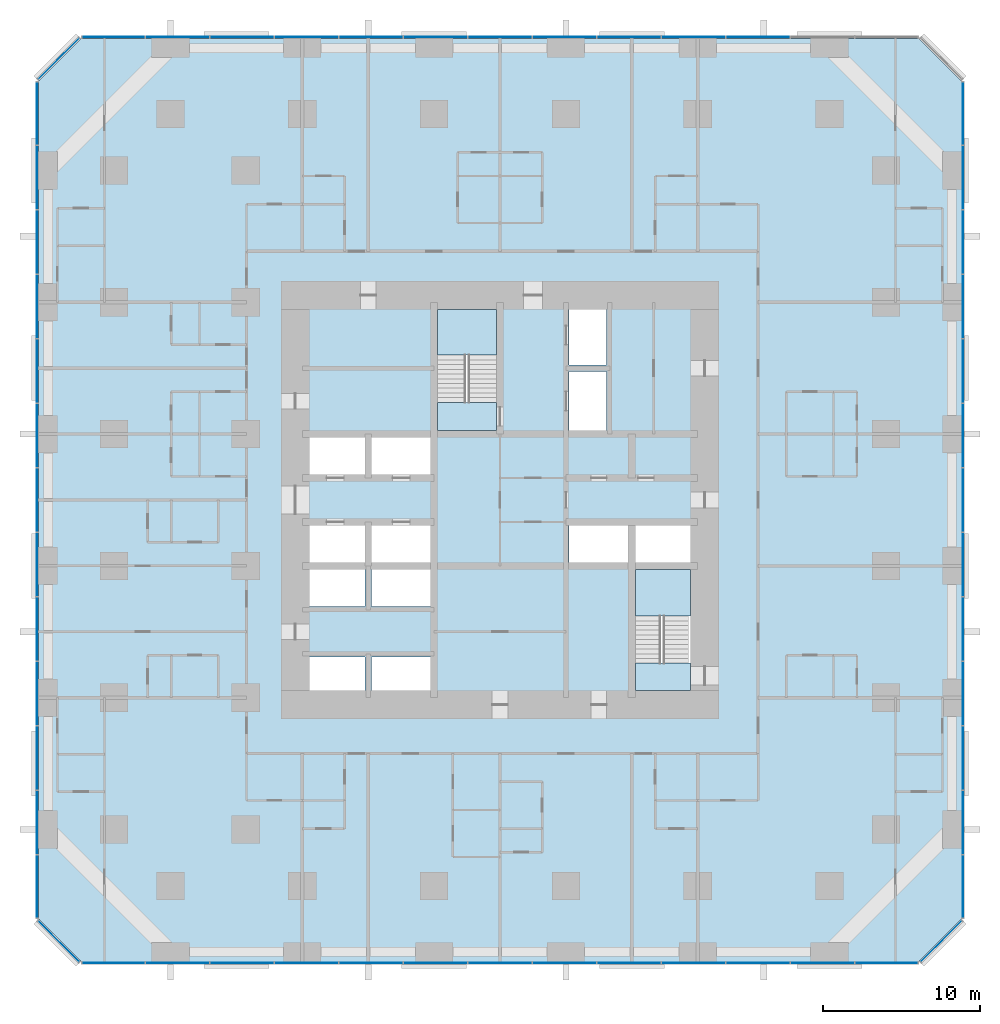
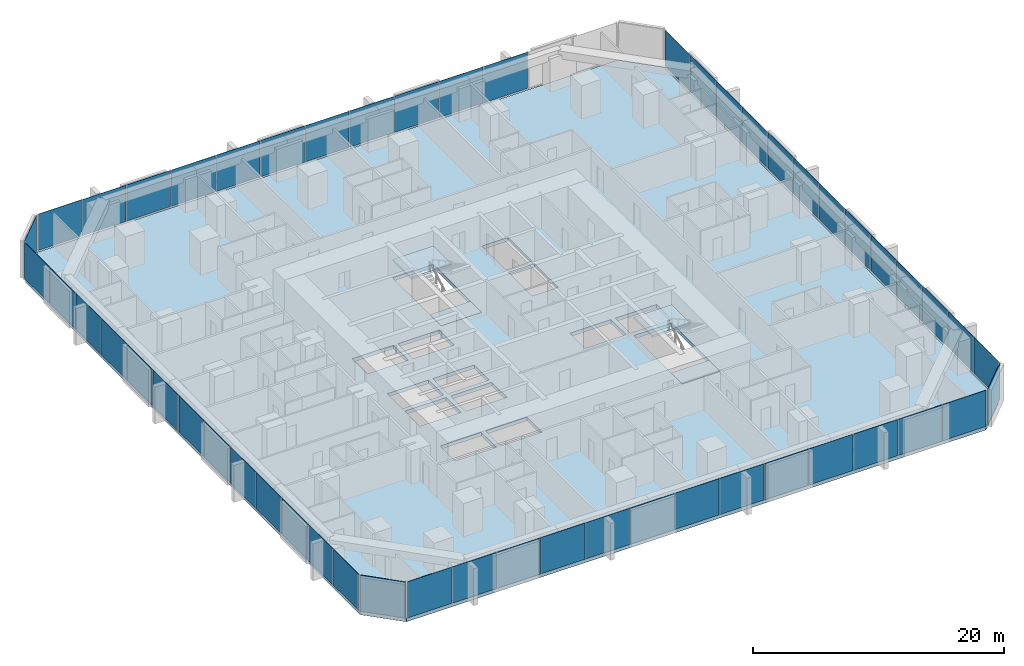
# One storey, part 9 of 17: 53 plates, 5 slabs, 9 elements without a shape of their own.
"""IFC4 building model written with IfcOpenShell, lengths in metres."""

from ifc_helpers import new_model, si_unit, direction, frame, origin, origin_2d, place, context, subcontext, project, spatial, polyline, rectangle, outline, extrude, material, layer, layer_set, type_object, element, aggregate, save


model = new_model("IFC4")

# Units and contexts
model_context = context("Model", 3, precision=1e-05, world=origin(), true_north=direction((0.0, 1.0)))
body_context = subcontext(model_context, "Body", "Model", "MODEL_VIEW")
ifc_project = project(units=[si_unit("LENGTHUNIT", "METRE"), si_unit("AREAUNIT", "SQUARE_METRE"), si_unit("VOLUMEUNIT", "CUBIC_METRE"), si_unit("PLANEANGLEUNIT", "RADIAN"), si_unit("MASSUNIT", "GRAM", prefix="KILO")], contexts=[model_context])

# Site, building, storey
site_placement = place(None, origin())
site = spatial("IfcSite", under=ifc_project, at=site_placement, CompositionType="ELEMENT")
building_placement = place(site_placement, origin())
building = spatial("IfcBuilding", under=site, at=building_placement, Name="Dunama Terrace Hotel", CompositionType="ELEMENT")
storey_placement = place(building_placement, frame((0.0, 0.0, 37.800048828125)))
storey = spatial("IfcBuildingStorey", under=building, at=storey_placement, Name="L08", CompositionType="ELEMENT", Elevation=37.800048828125)

# Curtain wall, plates
ifc_material_1 = material(Name="Aluminium curtain wall system", Category="aluminium")
curtain_wall_type = type_object("IfcCurtainWallType", Name="Unitised fritted glass wall CW-A", PredefinedType="NOTDEFINED", material=ifc_material_1)
curtain_wall_1_placement = place(storey_placement, origin())
curtain_wall_1 = element("IfcCurtainWall", 1, at=curtain_wall_1_placement, inside=storey, type_object=curtain_wall_type, Name="Unitised fritted glass wall CW-A L08", PredefinedType="NOTDEFINED")
ifc_material_2 = material(Name="Laminated glass", Category="glass")
ifc_layer_1 = layer(ifc_material_2, 0.030029296875)
ifc_layer_set_1 = layer_set([ifc_layer_1], Name="CWA clear glass panel")
plate_type_1 = type_object("IfcPlateType", Name="CWA clear glass panel", PredefinedType="CURTAIN_PANEL", material=ifc_layer_set_1)
plate_1_placement = place(storey_placement, frame((4.77001953125, -0.10009765625, 0.074951171875), z_axis=(0.0, 0.0, 1.0), x_axis=(1.0, 0.0, 0.0)))
plate_1 = element("IfcPlate", 2, at=plate_1_placement, type_object=plate_type_1, Name="CWA clear glass panel", PredefinedType="CURTAIN_PANEL", context=body_context, shape_type="SweptSolid", body=[
    extrude(rectangle(XDim=4.01025390625, YDim=0.030029296875, at=origin_2d()), origin(), (0.0, 0.0, 1.0), 3.52490234375),
])
plate_2_placement = place(storey_placement, frame((17.076904296875, -0.10009765625, 0.074951171875), z_axis=(0.0, 0.0, 1.0), x_axis=(1.0, 0.0, 0.0)))
plate_2 = element("IfcPlate", 3, at=plate_2_placement, type_object=plate_type_1, Name="CWA clear glass panel", PredefinedType="CURTAIN_PANEL", context=body_context, shape_type="SweptSolid", body=[
    extrude(rectangle(XDim=4.042724609375, YDim=0.030029296875, at=origin_2d()), origin(), (0.0, 0.0, 1.0), 3.52490234375),
])
plate_3_placement = place(storey_placement, frame((29.39990234375, -0.10009765625, 0.074951171875), z_axis=(0.0, 0.0, 1.0), x_axis=(1.0, 0.0, 0.0)))
plate_3 = element("IfcPlate", 4, at=plate_3_placement, type_object=plate_type_1, Name="CWA clear glass panel", PredefinedType="CURTAIN_PANEL", context=body_context, shape_type="SweptSolid", body=[
    extrude(rectangle(XDim=4.042724609375, YDim=0.030029296875, at=origin_2d()), origin(), (0.0, 0.0, 1.0), 3.52490234375),
])
plate_4_placement = place(storey_placement, frame((41.722900390625, -0.10009765625, 0.074951171875), z_axis=(0.0, 0.0, 1.0), x_axis=(1.0, 0.0, 0.0)))
plate_4 = element("IfcPlate", 5, at=plate_4_placement, type_object=plate_type_1, Name="CWA clear glass panel", PredefinedType="CURTAIN_PANEL", context=body_context, shape_type="SweptSolid", body=[
    extrude(rectangle(XDim=4.042724609375, YDim=0.030029296875, at=origin_2d()), origin(), (0.0, 0.0, 1.0), 3.52490234375),
])
plate_5_placement = place(storey_placement, frame((54.030029296875, -0.10009765625, 0.074951171875), z_axis=(0.0, 0.0, 1.0), x_axis=(1.0, 0.0, 0.0)))
plate_5 = element("IfcPlate", 6, at=plate_5_placement, type_object=plate_type_1, Name="CWA clear glass panel", PredefinedType="CURTAIN_PANEL", context=body_context, shape_type="SweptSolid", body=[
    extrude(rectangle(XDim=4.01025390625, YDim=0.030029296875, at=origin_2d()), origin(), (0.0, 0.0, 1.0), 3.52490234375),
])

curtain_wall_2_placement = place(storey_placement, origin())
curtain_wall_2 = element("IfcCurtainWall", 7, at=curtain_wall_2_placement, inside=storey, type_object=curtain_wall_type, Name="Unitised fritted glass wall CW-A L08", PredefinedType="NOTDEFINED")
plate_6_placement = place(storey_placement, frame((58.89990234375, 8.862060546875, 0.074951171875), z_axis=(0.0, 0.0, 1.0), x_axis=(0.0, 1.0, 0.0)))
plate_6 = element("IfcPlate", 8, at=plate_6_placement, type_object=plate_type_1, Name="CWA clear glass panel", PredefinedType="CURTAIN_PANEL", context=body_context, shape_type="SweptSolid", body=[
    extrude(rectangle(XDim=4.042724609375, YDim=0.030029296875, at=origin_2d()), origin(), (0.0, 0.0, 1.0), 3.52490234375),
])
plate_7_placement = place(storey_placement, frame((58.89990234375, 21.18505859375, 0.074951171875), z_axis=(0.0, 0.0, 1.0), x_axis=(0.0, 1.0, 0.0)))
plate_7 = element("IfcPlate", 9, at=plate_7_placement, type_object=plate_type_1, Name="CWA clear glass panel", PredefinedType="CURTAIN_PANEL", context=body_context, shape_type="SweptSolid", body=[
    extrude(rectangle(XDim=4.042724609375, YDim=0.030029296875, at=origin_2d()), origin(), (0.0, 0.0, 1.0), 3.52490234375),
])
plate_8_placement = place(storey_placement, frame((58.89990234375, 33.508056640625, 0.074951171875), z_axis=(0.0, 0.0, 1.0), x_axis=(0.0, 1.0, 0.0)))
plate_8 = element("IfcPlate", 10, at=plate_8_placement, type_object=plate_type_1, Name="CWA clear glass panel", PredefinedType="CURTAIN_PANEL", context=body_context, shape_type="SweptSolid", body=[
    extrude(rectangle(XDim=4.042724609375, YDim=0.030029296875, at=origin_2d()), origin(), (0.0, 0.0, 1.0), 3.52490234375),
])
plate_9_placement = place(storey_placement, frame((58.89990234375, 45.8310546875, 0.074951171875), z_axis=(0.0, 0.0, 1.0), x_axis=(0.0, 1.0, 0.0)))
plate_9 = element("IfcPlate", 11, at=plate_9_placement, type_object=plate_type_1, Name="CWA clear glass panel", PredefinedType="CURTAIN_PANEL", context=body_context, shape_type="SweptSolid", body=[
    extrude(rectangle(XDim=4.042724609375, YDim=0.030029296875, at=origin_2d()), origin(), (0.0, 0.0, 1.0), 3.52490234375),
])

curtain_wall_3_placement = place(storey_placement, origin())
curtain_wall_3 = element("IfcCurtainWall", 12, at=curtain_wall_3_placement, inside=storey, type_object=curtain_wall_type, Name="Unitised fritted glass wall CW-A L08", PredefinedType="NOTDEFINED")
plate_10_placement = place(storey_placement, frame((45.8310546875, 58.89990234375, 0.074951171875), z_axis=(0.0, 0.0, 1.0), x_axis=(-1.0, 0.0, 0.0)))
plate_10 = element("IfcPlate", 13, at=plate_10_placement, type_object=plate_type_1, Name="CWA clear glass panel", PredefinedType="CURTAIN_PANEL", context=body_context, shape_type="SweptSolid", body=[
    extrude(rectangle(XDim=4.042724609375, YDim=0.030029296875, at=origin_2d()), origin(), (0.0, 0.0, 1.0), 3.52490234375),
])
plate_11_placement = place(storey_placement, frame((33.508056640625, 58.89990234375, 0.074951171875), z_axis=(0.0, 0.0, 1.0), x_axis=(-1.0, 0.0, 0.0)))
plate_11 = element("IfcPlate", 14, at=plate_11_placement, type_object=plate_type_1, Name="CWA clear glass panel", PredefinedType="CURTAIN_PANEL", context=body_context, shape_type="SweptSolid", body=[
    extrude(rectangle(XDim=4.042724609375, YDim=0.030029296875, at=origin_2d()), origin(), (0.0, 0.0, 1.0), 3.52490234375),
])
plate_12_placement = place(storey_placement, frame((21.18505859375, 58.89990234375, 0.074951171875), z_axis=(0.0, 0.0, 1.0), x_axis=(-1.0, 0.0, 0.0)))
plate_12 = element("IfcPlate", 15, at=plate_12_placement, type_object=plate_type_1, Name="CWA clear glass panel", PredefinedType="CURTAIN_PANEL", context=body_context, shape_type="SweptSolid", body=[
    extrude(rectangle(XDim=4.042724609375, YDim=0.030029296875, at=origin_2d()), origin(), (0.0, 0.0, 1.0), 3.52490234375),
])
plate_13_placement = place(storey_placement, frame((8.862060546875, 58.89990234375, 0.074951171875), z_axis=(0.0, 0.0, 1.0), x_axis=(-1.0, 0.0, 0.0)))
plate_13 = element("IfcPlate", 16, at=plate_13_placement, type_object=plate_type_1, Name="CWA clear glass panel", PredefinedType="CURTAIN_PANEL", context=body_context, shape_type="SweptSolid", body=[
    extrude(rectangle(XDim=4.042724609375, YDim=0.030029296875, at=origin_2d()), origin(), (0.0, 0.0, 1.0), 3.52490234375),
])

curtain_wall_4_placement = place(storey_placement, origin())
curtain_wall_4 = element("IfcCurtainWall", 17, at=curtain_wall_4_placement, inside=storey, type_object=curtain_wall_type, Name="Unitised fritted glass wall CW-A L08", PredefinedType="NOTDEFINED")
plate_14_placement = place(storey_placement, frame((-0.10009765625, 54.030029296875, 0.074951171875), z_axis=(0.0, 0.0, 1.0), x_axis=(0.0, -1.0, 0.0)))
plate_14 = element("IfcPlate", 18, at=plate_14_placement, type_object=plate_type_1, Name="CWA clear glass panel", PredefinedType="CURTAIN_PANEL", context=body_context, shape_type="SweptSolid", body=[
    extrude(rectangle(XDim=4.01025390625, YDim=0.030029296875, at=origin_2d()), origin(), (0.0, 0.0, 1.0), 3.52490234375),
])
plate_15_placement = place(storey_placement, frame((-0.10009765625, 41.722900390625, 0.074951171875), z_axis=(0.0, 0.0, 1.0), x_axis=(0.0, -1.0, 0.0)))
plate_15 = element("IfcPlate", 19, at=plate_15_placement, type_object=plate_type_1, Name="CWA clear glass panel", PredefinedType="CURTAIN_PANEL", context=body_context, shape_type="SweptSolid", body=[
    extrude(rectangle(XDim=4.042724609375, YDim=0.030029296875, at=origin_2d()), origin(), (0.0, 0.0, 1.0), 3.52490234375),
])
plate_16_placement = place(storey_placement, frame((-0.10009765625, 29.39990234375, 0.074951171875), z_axis=(0.0, 0.0, 1.0), x_axis=(0.0, -1.0, 0.0)))
plate_16 = element("IfcPlate", 20, at=plate_16_placement, type_object=plate_type_1, Name="CWA clear glass panel", PredefinedType="CURTAIN_PANEL", context=body_context, shape_type="SweptSolid", body=[
    extrude(rectangle(XDim=4.042724609375, YDim=0.030029296875, at=origin_2d()), origin(), (0.0, 0.0, 1.0), 3.52490234375),
])
plate_17_placement = place(storey_placement, frame((-0.10009765625, 17.076904296875, 0.074951171875), z_axis=(0.0, 0.0, 1.0), x_axis=(0.0, -1.0, 0.0)))
plate_17 = element("IfcPlate", 21, at=plate_17_placement, type_object=plate_type_1, Name="CWA clear glass panel", PredefinedType="CURTAIN_PANEL", context=body_context, shape_type="SweptSolid", body=[
    extrude(rectangle(XDim=4.042724609375, YDim=0.030029296875, at=origin_2d()), origin(), (0.0, 0.0, 1.0), 3.52490234375),
])
plate_18_placement = place(storey_placement, frame((-0.10009765625, 4.77001953125, 0.074951171875), z_axis=(0.0, 0.0, 1.0), x_axis=(0.0, -1.0, 0.0)))
plate_18 = element("IfcPlate", 22, at=plate_18_placement, type_object=plate_type_1, Name="CWA clear glass panel", PredefinedType="CURTAIN_PANEL", context=body_context, shape_type="SweptSolid", body=[
    extrude(rectangle(XDim=4.01025390625, YDim=0.030029296875, at=origin_2d()), origin(), (0.0, 0.0, 1.0), 3.52490234375),
])

# Plate
ifc_material_3 = material(Name="Fritted laminated glass", Category="glass")
ifc_layer_2 = layer(ifc_material_3, 0.030029296875)
ifc_layer_set_2 = layer_set([ifc_layer_2], Name="CWA fritted glass panel")
plate_type_2 = type_object("IfcPlateType", Name="CWA fritted glass panel", PredefinedType="CURTAIN_PANEL", material=ifc_layer_set_2)
plate_19_placement = place(storey_placement, frame((12.968994140625, -0.10009765625, 0.074951171875), z_axis=(0.0, 0.0, 1.0), x_axis=(1.0, 0.0, 0.0)))
plate_19 = element("IfcPlate", 23, at=plate_19_placement, type_object=plate_type_2, Name="CWA fritted glass panel", PredefinedType="CURTAIN_PANEL", context=body_context, shape_type="SweptSolid", body=[
    extrude(rectangle(XDim=4.042724609375, YDim=0.030029296875, at=origin_2d()), origin(), (0.0, 0.0, 1.0), 3.52490234375),
])

plate_20_placement = place(storey_placement, frame((25.2919921875, -0.10009765625, 0.074951171875), z_axis=(0.0, 0.0, 1.0), x_axis=(1.0, 0.0, 0.0)))
plate_20 = element("IfcPlate", 24, at=plate_20_placement, type_object=plate_type_2, Name="CWA fritted glass panel", PredefinedType="CURTAIN_PANEL", context=body_context, shape_type="SweptSolid", body=[
    extrude(rectangle(XDim=4.042724609375, YDim=0.030029296875, at=origin_2d()), origin(), (0.0, 0.0, 1.0), 3.52490234375),
])

plate_21_placement = place(storey_placement, frame((37.614990234375, -0.10009765625, 0.074951171875), z_axis=(0.0, 0.0, 1.0), x_axis=(1.0, 0.0, 0.0)))
plate_21 = element("IfcPlate", 25, at=plate_21_placement, type_object=plate_type_2, Name="CWA fritted glass panel", PredefinedType="CURTAIN_PANEL", context=body_context, shape_type="SweptSolid", body=[
    extrude(rectangle(XDim=4.042724609375, YDim=0.030029296875, at=origin_2d()), origin(), (0.0, 0.0, 1.0), 3.52490234375),
])

plate_22_placement = place(storey_placement, frame((49.93798828125, -0.10009765625, 0.074951171875), z_axis=(0.0, 0.0, 1.0), x_axis=(1.0, 0.0, 0.0)))
plate_22 = element("IfcPlate", 26, at=plate_22_placement, type_object=plate_type_2, Name="CWA fritted glass panel", PredefinedType="CURTAIN_PANEL", context=body_context, shape_type="SweptSolid", body=[
    extrude(rectangle(XDim=4.042724609375, YDim=0.030029296875, at=origin_2d()), origin(), (0.0, 0.0, 1.0), 3.52490234375),
])

plate_23_placement = place(storey_placement, frame((58.89990234375, 4.77001953125, 0.074951171875), z_axis=(0.0, 0.0, 1.0), x_axis=(0.0, 1.0, 0.0)))
plate_23 = element("IfcPlate", 27, at=plate_23_placement, type_object=plate_type_2, Name="CWA fritted glass panel", PredefinedType="CURTAIN_PANEL", context=body_context, shape_type="SweptSolid", body=[
    extrude(rectangle(XDim=4.01025390625, YDim=0.030029296875, at=origin_2d()), origin(), (0.0, 0.0, 1.0), 3.52490234375),
])

plate_24_placement = place(storey_placement, frame((58.89990234375, 17.076904296875, 0.074951171875), z_axis=(0.0, 0.0, 1.0), x_axis=(0.0, 1.0, 0.0)))
plate_24 = element("IfcPlate", 28, at=plate_24_placement, type_object=plate_type_2, Name="CWA fritted glass panel", PredefinedType="CURTAIN_PANEL", context=body_context, shape_type="SweptSolid", body=[
    extrude(rectangle(XDim=4.042724609375, YDim=0.030029296875, at=origin_2d()), origin(), (0.0, 0.0, 1.0), 3.52490234375),
])

plate_25_placement = place(storey_placement, frame((58.89990234375, 29.39990234375, 0.074951171875), z_axis=(0.0, 0.0, 1.0), x_axis=(0.0, 1.0, 0.0)))
plate_25 = element("IfcPlate", 29, at=plate_25_placement, type_object=plate_type_2, Name="CWA fritted glass panel", PredefinedType="CURTAIN_PANEL", context=body_context, shape_type="SweptSolid", body=[
    extrude(rectangle(XDim=4.042724609375, YDim=0.030029296875, at=origin_2d()), origin(), (0.0, 0.0, 1.0), 3.52490234375),
])

plate_26_placement = place(storey_placement, frame((58.89990234375, 41.722900390625, 0.074951171875), z_axis=(0.0, 0.0, 1.0), x_axis=(0.0, 1.0, 0.0)))
plate_26 = element("IfcPlate", 30, at=plate_26_placement, type_object=plate_type_2, Name="CWA fritted glass panel", PredefinedType="CURTAIN_PANEL", context=body_context, shape_type="SweptSolid", body=[
    extrude(rectangle(XDim=4.042724609375, YDim=0.030029296875, at=origin_2d()), origin(), (0.0, 0.0, 1.0), 3.52490234375),
])

plate_27_placement = place(storey_placement, frame((58.89990234375, 54.030029296875, 0.074951171875), z_axis=(0.0, 0.0, 1.0), x_axis=(0.0, 1.0, 0.0)))
plate_27 = element("IfcPlate", 31, at=plate_27_placement, type_object=plate_type_2, Name="CWA fritted glass panel", PredefinedType="CURTAIN_PANEL", context=body_context, shape_type="SweptSolid", body=[
    extrude(rectangle(XDim=4.01025390625, YDim=0.030029296875, at=origin_2d()), origin(), (0.0, 0.0, 1.0), 3.52490234375),
])

plate_28_placement = place(storey_placement, frame((37.614990234375, 58.89990234375, 0.074951171875), z_axis=(0.0, 0.0, 1.0), x_axis=(-1.0, 0.0, 0.0)))
plate_28 = element("IfcPlate", 32, at=plate_28_placement, type_object=plate_type_2, Name="CWA fritted glass panel", PredefinedType="CURTAIN_PANEL", context=body_context, shape_type="SweptSolid", body=[
    extrude(rectangle(XDim=4.042724609375, YDim=0.030029296875, at=origin_2d()), origin(), (0.0, 0.0, 1.0), 3.52490234375),
])

plate_29_placement = place(storey_placement, frame((25.2919921875, 58.89990234375, 0.074951171875), z_axis=(0.0, 0.0, 1.0), x_axis=(-1.0, 0.0, 0.0)))
plate_29 = element("IfcPlate", 33, at=plate_29_placement, type_object=plate_type_2, Name="CWA fritted glass panel", PredefinedType="CURTAIN_PANEL", context=body_context, shape_type="SweptSolid", body=[
    extrude(rectangle(XDim=4.042724609375, YDim=0.030029296875, at=origin_2d()), origin(), (0.0, 0.0, 1.0), 3.52490234375),
])

plate_30_placement = place(storey_placement, frame((12.968994140625, 58.89990234375, 0.074951171875), z_axis=(0.0, 0.0, 1.0), x_axis=(-1.0, 0.0, 0.0)))
plate_30 = element("IfcPlate", 34, at=plate_30_placement, type_object=plate_type_2, Name="CWA fritted glass panel", PredefinedType="CURTAIN_PANEL", context=body_context, shape_type="SweptSolid", body=[
    extrude(rectangle(XDim=4.042724609375, YDim=0.030029296875, at=origin_2d()), origin(), (0.0, 0.0, 1.0), 3.52490234375),
])

# Curtain wall, plate
curtain_wall_5_placement = place(storey_placement, origin())
curtain_wall_5 = element("IfcCurtainWall", 35, at=curtain_wall_5_placement, inside=storey, type_object=curtain_wall_type, Name="Unitised fritted glass wall CW-A L08", PredefinedType="NOTDEFINED")
plate_31_placement = place(storey_placement, frame((1.279052734375, 57.52099609375, 0.074951171875), z_axis=(0.0, 0.0, 1.0), x_axis=(-0.707106781187, -0.707106781187, 0.0)))
plate_31 = element("IfcPlate", 36, at=plate_31_placement, type_object=plate_type_2, Name="CWA fritted glass panel", PredefinedType="CURTAIN_PANEL", context=body_context, shape_type="SweptSolid", body=[
    extrude(rectangle(XDim=3.6884765625, YDim=0.030029296875, at=origin_2d()), origin(), (0.0, 0.0, 1.0), 3.52490234375),
])
aggregate(curtain_wall_5, [plate_31])

# Plate
plate_32_placement = place(storey_placement, frame((-0.10009765625, 45.8310546875, 0.074951171875), z_axis=(0.0, 0.0, 1.0), x_axis=(0.0, -1.0, 0.0)))
plate_32 = element("IfcPlate", 37, at=plate_32_placement, type_object=plate_type_2, Name="CWA fritted glass panel", PredefinedType="CURTAIN_PANEL", context=body_context, shape_type="SweptSolid", body=[
    extrude(rectangle(XDim=4.042724609375, YDim=0.030029296875, at=origin_2d()), origin(), (0.0, 0.0, 1.0), 3.52490234375),
])

plate_33_placement = place(storey_placement, frame((-0.10009765625, 33.508056640625, 0.074951171875), z_axis=(0.0, 0.0, 1.0), x_axis=(0.0, -1.0, 0.0)))
plate_33 = element("IfcPlate", 38, at=plate_33_placement, type_object=plate_type_2, Name="CWA fritted glass panel", PredefinedType="CURTAIN_PANEL", context=body_context, shape_type="SweptSolid", body=[
    extrude(rectangle(XDim=4.042724609375, YDim=0.030029296875, at=origin_2d()), origin(), (0.0, 0.0, 1.0), 3.52490234375),
])

plate_34_placement = place(storey_placement, frame((-0.10009765625, 21.18505859375, 0.074951171875), z_axis=(0.0, 0.0, 1.0), x_axis=(0.0, -1.0, 0.0)))
plate_34 = element("IfcPlate", 39, at=plate_34_placement, type_object=plate_type_2, Name="CWA fritted glass panel", PredefinedType="CURTAIN_PANEL", context=body_context, shape_type="SweptSolid", body=[
    extrude(rectangle(XDim=4.042724609375, YDim=0.030029296875, at=origin_2d()), origin(), (0.0, 0.0, 1.0), 3.52490234375),
])

plate_35_placement = place(storey_placement, frame((-0.10009765625, 8.862060546875, 0.074951171875), z_axis=(0.0, 0.0, 1.0), x_axis=(0.0, -1.0, 0.0)))
plate_35 = element("IfcPlate", 40, at=plate_35_placement, type_object=plate_type_2, Name="CWA fritted glass panel", PredefinedType="CURTAIN_PANEL", context=body_context, shape_type="SweptSolid", body=[
    extrude(rectangle(XDim=4.042724609375, YDim=0.030029296875, at=origin_2d()), origin(), (0.0, 0.0, 1.0), 3.52490234375),
])

ifc_material_4 = material(Name="Laminated glass", Category="glass")
ifc_layer_3 = layer(ifc_material_4, 0.030029296875)
ifc_layer_set_3 = layer_set([ifc_layer_3], Name="CWA operable glass panel")
plate_type_3 = type_object("IfcPlateType", Name="CWA operable glass panel", PredefinedType="CURTAIN_PANEL", material=ifc_layer_set_3)
plate_36_placement = place(storey_placement, frame((8.862060546875, -0.10009765625, 0.074951171875), z_axis=(0.0, 0.0, 1.0), x_axis=(1.0, 0.0, 0.0)))
plate_36 = element("IfcPlate", 41, at=plate_36_placement, type_object=plate_type_3, Name="CWA operable glass panel", PredefinedType="CURTAIN_PANEL", context=body_context, shape_type="SweptSolid", body=[
    extrude(rectangle(XDim=4.042724609375, YDim=0.030029296875, at=origin_2d()), origin(), (0.0, 0.0, 1.0), 3.52490234375),
])

plate_37_placement = place(storey_placement, frame((21.18505859375, -0.10009765625, 0.074951171875), z_axis=(0.0, 0.0, 1.0), x_axis=(1.0, 0.0, 0.0)))
plate_37 = element("IfcPlate", 42, at=plate_37_placement, type_object=plate_type_3, Name="CWA operable glass panel", PredefinedType="CURTAIN_PANEL", context=body_context, shape_type="SweptSolid", body=[
    extrude(rectangle(XDim=4.042724609375, YDim=0.030029296875, at=origin_2d()), origin(), (0.0, 0.0, 1.0), 3.52490234375),
])

plate_38_placement = place(storey_placement, frame((33.508056640625, -0.10009765625, 0.074951171875), z_axis=(0.0, 0.0, 1.0), x_axis=(1.0, 0.0, 0.0)))
plate_38 = element("IfcPlate", 43, at=plate_38_placement, type_object=plate_type_3, Name="CWA operable glass panel", PredefinedType="CURTAIN_PANEL", context=body_context, shape_type="SweptSolid", body=[
    extrude(rectangle(XDim=4.042724609375, YDim=0.030029296875, at=origin_2d()), origin(), (0.0, 0.0, 1.0), 3.52490234375),
])

plate_39_placement = place(storey_placement, frame((45.8310546875, -0.10009765625, 0.074951171875), z_axis=(0.0, 0.0, 1.0), x_axis=(1.0, 0.0, 0.0)))
plate_39 = element("IfcPlate", 44, at=plate_39_placement, type_object=plate_type_3, Name="CWA operable glass panel", PredefinedType="CURTAIN_PANEL", context=body_context, shape_type="SweptSolid", body=[
    extrude(rectangle(XDim=4.042724609375, YDim=0.030029296875, at=origin_2d()), origin(), (0.0, 0.0, 1.0), 3.52490234375),
])

aggregate(curtain_wall_1, [plate_1, plate_36, plate_19, plate_2, plate_37, plate_20, plate_3, plate_38, plate_21, plate_4, plate_39, plate_22, plate_5])

# Curtain wall, plate
curtain_wall_6_placement = place(storey_placement, origin())
curtain_wall_6 = element("IfcCurtainWall", 45, at=curtain_wall_6_placement, inside=storey, type_object=curtain_wall_type, Name="Unitised fritted glass wall CW-A L08", PredefinedType="NOTDEFINED")
plate_40_placement = place(storey_placement, frame((57.52099609375, 1.279052734375, 0.074951171875), z_axis=(0.0, 0.0, 1.0), x_axis=(0.707106781187, 0.707106781187, 0.0)))
plate_40 = element("IfcPlate", 46, at=plate_40_placement, type_object=plate_type_3, Name="CWA operable glass panel", PredefinedType="CURTAIN_PANEL", context=body_context, shape_type="SweptSolid", body=[
    extrude(rectangle(XDim=3.6884765625, YDim=0.030029296875, at=origin_2d()), origin(), (0.0, 0.0, 1.0), 3.52490234375),
])
aggregate(curtain_wall_6, [plate_40])

# Plate
plate_41_placement = place(storey_placement, frame((58.89990234375, 12.968994140625, 0.074951171875), z_axis=(0.0, 0.0, 1.0), x_axis=(0.0, 1.0, 0.0)))
plate_41 = element("IfcPlate", 47, at=plate_41_placement, type_object=plate_type_3, Name="CWA operable glass panel", PredefinedType="CURTAIN_PANEL", context=body_context, shape_type="SweptSolid", body=[
    extrude(rectangle(XDim=4.042724609375, YDim=0.030029296875, at=origin_2d()), origin(), (0.0, 0.0, 1.0), 3.52490234375),
])

plate_42_placement = place(storey_placement, frame((58.89990234375, 25.2919921875, 0.074951171875), z_axis=(0.0, 0.0, 1.0), x_axis=(0.0, 1.0, 0.0)))
plate_42 = element("IfcPlate", 48, at=plate_42_placement, type_object=plate_type_3, Name="CWA operable glass panel", PredefinedType="CURTAIN_PANEL", context=body_context, shape_type="SweptSolid", body=[
    extrude(rectangle(XDim=4.042724609375, YDim=0.030029296875, at=origin_2d()), origin(), (0.0, 0.0, 1.0), 3.52490234375),
])

plate_43_placement = place(storey_placement, frame((58.89990234375, 37.614990234375, 0.074951171875), z_axis=(0.0, 0.0, 1.0), x_axis=(0.0, 1.0, 0.0)))
plate_43 = element("IfcPlate", 49, at=plate_43_placement, type_object=plate_type_3, Name="CWA operable glass panel", PredefinedType="CURTAIN_PANEL", context=body_context, shape_type="SweptSolid", body=[
    extrude(rectangle(XDim=4.042724609375, YDim=0.030029296875, at=origin_2d()), origin(), (0.0, 0.0, 1.0), 3.52490234375),
])

plate_44_placement = place(storey_placement, frame((58.89990234375, 49.93798828125, 0.074951171875), z_axis=(0.0, 0.0, 1.0), x_axis=(0.0, 1.0, 0.0)))
plate_44 = element("IfcPlate", 50, at=plate_44_placement, type_object=plate_type_3, Name="CWA operable glass panel", PredefinedType="CURTAIN_PANEL", context=body_context, shape_type="SweptSolid", body=[
    extrude(rectangle(XDim=4.042724609375, YDim=0.030029296875, at=origin_2d()), origin(), (0.0, 0.0, 1.0), 3.52490234375),
])

aggregate(curtain_wall_2, [plate_23, plate_6, plate_41, plate_24, plate_7, plate_42, plate_25, plate_8, plate_43, plate_26, plate_9, plate_44, plate_27])

plate_45_placement = place(storey_placement, frame((41.722900390625, 58.89990234375, 0.074951171875), z_axis=(0.0, 0.0, 1.0), x_axis=(-1.0, 0.0, 0.0)))
plate_45 = element("IfcPlate", 51, at=plate_45_placement, type_object=plate_type_3, Name="CWA operable glass panel", PredefinedType="CURTAIN_PANEL", context=body_context, shape_type="SweptSolid", body=[
    extrude(rectangle(XDim=4.042724609375, YDim=0.030029296875, at=origin_2d()), origin(), (0.0, 0.0, 1.0), 3.52490234375),
])

plate_46_placement = place(storey_placement, frame((29.39990234375, 58.89990234375, 0.074951171875), z_axis=(0.0, 0.0, 1.0), x_axis=(-1.0, 0.0, 0.0)))
plate_46 = element("IfcPlate", 52, at=plate_46_placement, type_object=plate_type_3, Name="CWA operable glass panel", PredefinedType="CURTAIN_PANEL", context=body_context, shape_type="SweptSolid", body=[
    extrude(rectangle(XDim=4.042724609375, YDim=0.030029296875, at=origin_2d()), origin(), (0.0, 0.0, 1.0), 3.52490234375),
])

plate_47_placement = place(storey_placement, frame((17.076904296875, 58.89990234375, 0.074951171875), z_axis=(0.0, 0.0, 1.0), x_axis=(-1.0, 0.0, 0.0)))
plate_47 = element("IfcPlate", 53, at=plate_47_placement, type_object=plate_type_3, Name="CWA operable glass panel", PredefinedType="CURTAIN_PANEL", context=body_context, shape_type="SweptSolid", body=[
    extrude(rectangle(XDim=4.042724609375, YDim=0.030029296875, at=origin_2d()), origin(), (0.0, 0.0, 1.0), 3.52490234375),
])

plate_48_placement = place(storey_placement, frame((4.77001953125, 58.89990234375, 0.074951171875), z_axis=(0.0, 0.0, 1.0), x_axis=(-1.0, 0.0, 0.0)))
plate_48 = element("IfcPlate", 54, at=plate_48_placement, type_object=plate_type_3, Name="CWA operable glass panel", PredefinedType="CURTAIN_PANEL", context=body_context, shape_type="SweptSolid", body=[
    extrude(rectangle(XDim=4.01025390625, YDim=0.030029296875, at=origin_2d()), origin(), (0.0, 0.0, 1.0), 3.52490234375),
])

aggregate(curtain_wall_3, [plate_10, plate_45, plate_28, plate_11, plate_46, plate_29, plate_12, plate_47, plate_30, plate_13, plate_48])

plate_49_placement = place(storey_placement, frame((-0.10009765625, 49.93798828125, 0.074951171875), z_axis=(0.0, 0.0, 1.0), x_axis=(0.0, -1.0, 0.0)))
plate_49 = element("IfcPlate", 55, at=plate_49_placement, type_object=plate_type_3, Name="CWA operable glass panel", PredefinedType="CURTAIN_PANEL", context=body_context, shape_type="SweptSolid", body=[
    extrude(rectangle(XDim=4.042724609375, YDim=0.030029296875, at=origin_2d()), origin(), (0.0, 0.0, 1.0), 3.52490234375),
])

plate_50_placement = place(storey_placement, frame((-0.10009765625, 37.614990234375, 0.074951171875), z_axis=(0.0, 0.0, 1.0), x_axis=(0.0, -1.0, 0.0)))
plate_50 = element("IfcPlate", 56, at=plate_50_placement, type_object=plate_type_3, Name="CWA operable glass panel", PredefinedType="CURTAIN_PANEL", context=body_context, shape_type="SweptSolid", body=[
    extrude(rectangle(XDim=4.042724609375, YDim=0.030029296875, at=origin_2d()), origin(), (0.0, 0.0, 1.0), 3.52490234375),
])

plate_51_placement = place(storey_placement, frame((-0.10009765625, 25.2919921875, 0.074951171875), z_axis=(0.0, 0.0, 1.0), x_axis=(0.0, -1.0, 0.0)))
plate_51 = element("IfcPlate", 57, at=plate_51_placement, type_object=plate_type_3, Name="CWA operable glass panel", PredefinedType="CURTAIN_PANEL", context=body_context, shape_type="SweptSolid", body=[
    extrude(rectangle(XDim=4.042724609375, YDim=0.030029296875, at=origin_2d()), origin(), (0.0, 0.0, 1.0), 3.52490234375),
])

plate_52_placement = place(storey_placement, frame((-0.10009765625, 12.968994140625, 0.074951171875), z_axis=(0.0, 0.0, 1.0), x_axis=(0.0, -1.0, 0.0)))
plate_52 = element("IfcPlate", 58, at=plate_52_placement, type_object=plate_type_3, Name="CWA operable glass panel", PredefinedType="CURTAIN_PANEL", context=body_context, shape_type="SweptSolid", body=[
    extrude(rectangle(XDim=4.042724609375, YDim=0.030029296875, at=origin_2d()), origin(), (0.0, 0.0, 1.0), 3.52490234375),
])

aggregate(curtain_wall_4, [plate_14, plate_49, plate_32, plate_15, plate_50, plate_33, plate_16, plate_51, plate_34, plate_17, plate_52, plate_35, plate_18])

# Curtain wall, plate
curtain_wall_7_placement = place(storey_placement, origin())
curtain_wall_7 = element("IfcCurtainWall", 59, at=curtain_wall_7_placement, inside=storey, type_object=curtain_wall_type, Name="Unitised fritted glass wall CW-A L08", PredefinedType="NOTDEFINED")
plate_53_placement = place(storey_placement, frame((1.279052734375, 1.279052734375, 0.074951171875), z_axis=(0.0, 0.0, 1.0), x_axis=(0.707106781187, -0.707106781187, 0.0)))
plate_53 = element("IfcPlate", 60, at=plate_53_placement, type_object=plate_type_3, Name="CWA operable glass panel", PredefinedType="CURTAIN_PANEL", context=body_context, shape_type="SweptSolid", body=[
    extrude(rectangle(XDim=3.6884765625, YDim=0.030029296875, at=origin_2d()), origin(), (0.0, 0.0, 1.0), 3.52490234375),
])
aggregate(curtain_wall_7, [plate_53])

# Slab
ifc_material_5 = material(Name="Concrete C40/50", Category="concrete")
ifc_layer_4 = layer(ifc_material_5, 0.35009765625)
ifc_layer_set_4 = layer_set([ifc_layer_4], Name="Flat plate 350")
slab_type_1 = type_object("IfcSlabType", Name="Flat plate 350", PredefinedType="FLOOR", material=ifc_layer_set_4)
slab_1_placement = place(storey_placement, frame((0.0, 0.0, -0.35009765625)))
element("IfcSlab", 61, at=slab_1_placement, inside=storey, type_object=slab_type_1, Name="Floor slab L08", PredefinedType="FLOOR", context=body_context, shape_type="SweptSolid", body=[
    extrude(outline(polyline([(2.699951171875, 0.0), (56.10009765625, 0.0), (58.800048828125, 2.699951171875), (58.800048828125, 56.10009765625), (56.10009765625, 58.800048828125), (2.699951171875, 58.800048828125), (0.0, 56.10009765625), (0.0, 2.699951171875), (2.699951171875, 0.0)]), holes=[polyline([(20.800048828125, 25.39990234375), (20.800048828125, 27.800048828125), (17.0, 27.800048828125), (17.0, 25.39990234375), (20.800048828125, 25.39990234375)]), polyline([(25.0, 25.39990234375), (25.0, 27.800048828125), (21.199951171875, 27.800048828125), (21.199951171875, 25.39990234375), (25.0, 25.39990234375)]), polyline([(20.800048828125, 31.0), (20.800048828125, 33.39990234375), (17.0, 33.39990234375), (17.0, 31.0), (20.800048828125, 31.0)]), polyline([(25.0, 31.0), (25.0, 33.39990234375), (21.199951171875, 33.39990234375), (21.199951171875, 31.0), (25.0, 31.0)]), polyline([(37.60009765625, 25.39990234375), (37.60009765625, 27.800048828125), (33.800048828125, 27.800048828125), (33.800048828125, 25.39990234375), (37.60009765625, 25.39990234375)]), polyline([(41.800048828125, 25.39990234375), (41.800048828125, 27.800048828125), (38.0, 27.800048828125), (38.0, 25.39990234375), (41.800048828125, 25.39990234375)]), polyline([(20.800048828125, 17.0), (20.800048828125, 19.39990234375), (17.0, 19.39990234375), (17.0, 17.0), (20.800048828125, 17.0)]), polyline([(25.0, 17.0), (25.0, 19.39990234375), (21.199951171875, 19.39990234375), (21.199951171875, 17.0), (25.0, 17.0)]), polyline([(20.800048828125, 22.60009765625), (20.800048828125, 25.0), (17.0, 25.0), (17.0, 22.60009765625), (20.800048828125, 22.60009765625)]), polyline([(25.0, 22.60009765625), (25.0, 25.0), (21.199951171875, 25.0), (21.199951171875, 22.60009765625), (25.0, 22.60009765625)]), polyline([(36.199951171875, 38.0), (36.199951171875, 41.800048828125), (33.800048828125, 41.800048828125), (33.800048828125, 38.0), (36.199951171875, 38.0)]), polyline([(36.199951171875, 33.800048828125), (36.199951171875, 37.60009765625), (33.800048828125, 37.60009765625), (33.800048828125, 33.800048828125), (36.199951171875, 33.800048828125)]), polyline([(29.175048828125, 33.824951171875), (29.175048828125, 41.550048828125), (25.425048828125, 41.550048828125), (25.425048828125, 33.824951171875), (29.175048828125, 33.824951171875)]), polyline([(41.550048828125, 17.25), (41.550048828125, 24.97509765625), (38.050048828125, 24.97509765625), (38.050048828125, 17.25), (41.550048828125, 17.25)])]), origin(), (0.0, 0.0, 1.0), 0.35009765625),
])

# Stair, slabs
ifc_material_6 = material(Name="Concrete C40/50", Category="concrete")
stair_type_1 = type_object("IfcStairType", Name="Stair ST1-3600-1800", PredefinedType="HALF_TURN_STAIR", material=ifc_material_6)
stair_1_placement = place(storey_placement, origin())
stair_1 = element("IfcStair", 62, at=stair_1_placement, inside=storey, type_object=stair_type_1, Name="Stair ST1 L08", PredefinedType="HALF_TURN_STAIR")
ifc_material_7 = material(Name="Concrete C40/50", Category="concrete")
ifc_layer_5 = layer(ifc_material_7, 0.199951171875)
ifc_layer_set_5 = layer_set([ifc_layer_5], Name="Stair landing 200")
slab_type_2 = type_object("IfcSlabType", Name="Stair landing 200", PredefinedType="LANDING", material=ifc_layer_set_5)
slab_2_placement = place(storey_placement, frame((0.0, 0.0, -0.199951171875)))
slab_2 = element("IfcSlab", 63, at=slab_2_placement, type_object=slab_type_2, Name="ST1 landing 1, type S10", PredefinedType="LANDING", context=body_context, shape_type="SweptSolid", body=[
    extrude(outline(polyline([(25.425048828125, 33.824951171875), (29.175048828125, 33.824951171875), (29.175048828125, 35.625), (25.425048828125, 35.625), (25.425048828125, 33.824951171875)])), origin(), (0.0, 0.0, 1.0), 0.199951171875),
])
slab_3_placement = place(storey_placement, frame((0.0, 0.0, 1.599853515625)))
slab_3 = element("IfcSlab", 64, at=slab_3_placement, type_object=slab_type_2, Name="ST1 landing 2, type S10", PredefinedType="LANDING", context=body_context, shape_type="SweptSolid", body=[
    extrude(outline(polyline([(25.425048828125, 38.625), (29.175048828125, 38.625), (29.175048828125, 41.550048828125), (25.425048828125, 41.550048828125), (25.425048828125, 38.625)])), origin(), (0.0, 0.0, 1.0), 0.2001953125),
])
aggregate(stair_1, [slab_2, slab_3])

ifc_material_8 = material(Name="Concrete C40/50", Category="concrete")
stair_type_2 = type_object("IfcStairType", Name="Stair ST2-3600-1600", PredefinedType="HALF_TURN_STAIR", material=ifc_material_8)
stair_2_placement = place(storey_placement, origin())
stair_2 = element("IfcStair", 65, at=stair_2_placement, inside=storey, type_object=stair_type_2, Name="Stair ST2 L08", PredefinedType="HALF_TURN_STAIR")
slab_4_placement = place(storey_placement, frame((0.0, 0.0, -0.199951171875)))
slab_4 = element("IfcSlab", 66, at=slab_4_placement, type_object=slab_type_2, Name="ST2 landing 1, type S10", PredefinedType="LANDING", context=body_context, shape_type="SweptSolid", body=[
    extrude(outline(polyline([(38.050048828125, 17.25), (41.550048828125, 17.25), (41.550048828125, 19.0), (38.050048828125, 19.0), (38.050048828125, 17.25)])), origin(), (0.0, 0.0, 1.0), 0.199951171875),
])
slab_5_placement = place(storey_placement, frame((0.0, 0.0, 1.599853515625)))
slab_5 = element("IfcSlab", 67, at=slab_5_placement, type_object=slab_type_2, Name="ST2 landing 2, type S10", PredefinedType="LANDING", context=body_context, shape_type="SweptSolid", body=[
    extrude(outline(polyline([(38.050048828125, 22.0), (41.550048828125, 22.0), (41.550048828125, 24.97509765625), (38.050048828125, 24.97509765625), (38.050048828125, 22.0)])), origin(), (0.0, 0.0, 1.0), 0.2001953125),
])
aggregate(stair_2, [slab_4, slab_5])

save(model, "model.ifc")
